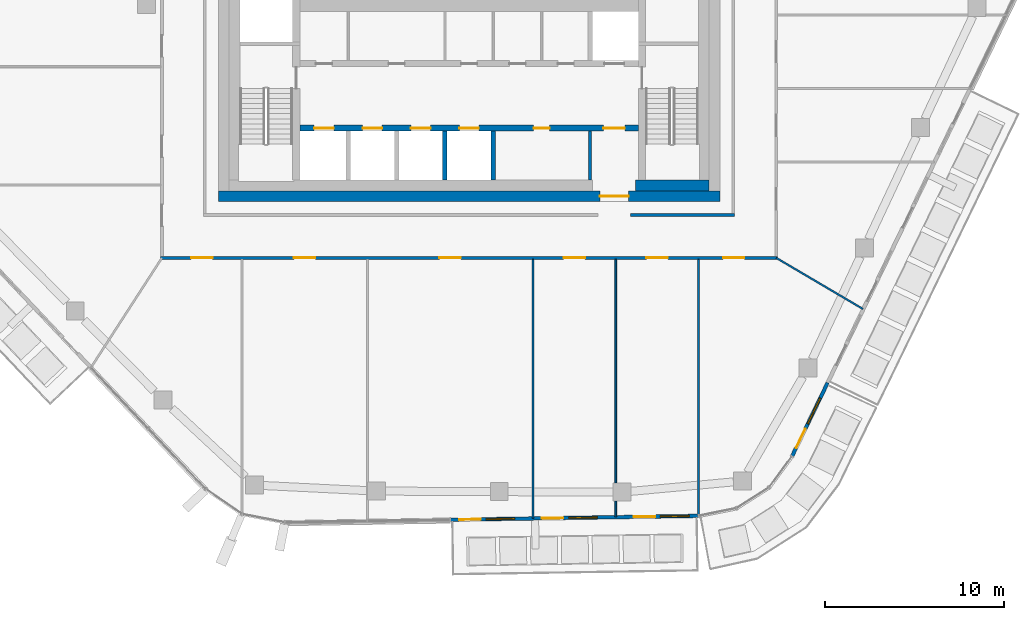
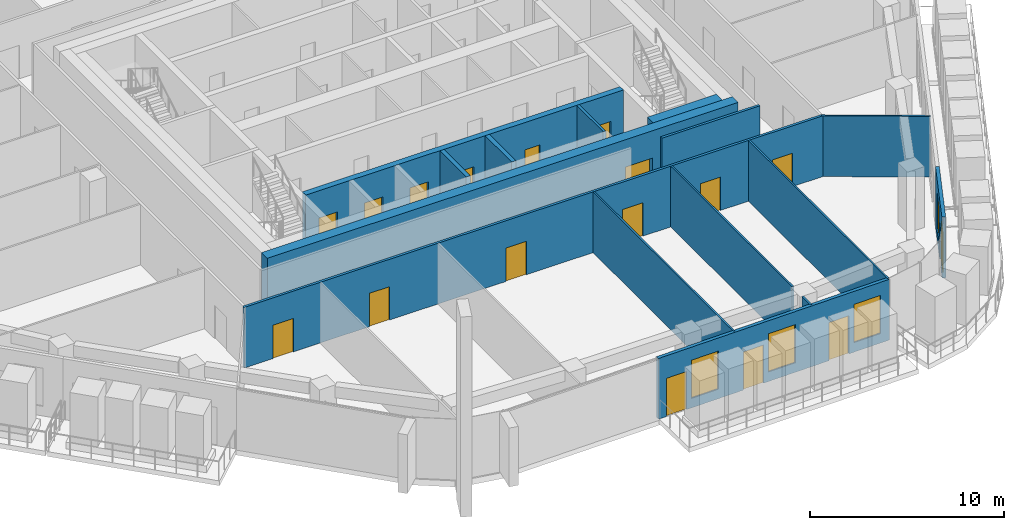
# One storey, part 13 of 24: 17 doors, 15 walls, 4 windows, 21 openings.
"""IFC4 building model written with IfcOpenShell, lengths in metres."""

from ifc_helpers import new_model, si_unit, direction, frame, frame_2d, origin, place, context, subcontext, project, spatial, rectangle, extrude, material, layer, layer_set, type_object, element, fill, save


model = new_model("IFC4")

# Units and contexts
model_context = context("Model", 3, precision=1e-05, world=origin(), true_north=direction((0.0, 1.0)))
body_context = subcontext(model_context, "Body", "Model", "MODEL_VIEW")
ifc_project = project(units=[si_unit("LENGTHUNIT", "METRE"), si_unit("AREAUNIT", "SQUARE_METRE"), si_unit("VOLUMEUNIT", "CUBIC_METRE"), si_unit("PLANEANGLEUNIT", "RADIAN"), si_unit("MASSUNIT", "GRAM", prefix="KILO")], contexts=[model_context])

# Site, building, storey
site_placement = place(None, origin())
site = spatial("IfcSite", under=ifc_project, at=site_placement, CompositionType="ELEMENT")
building_placement = place(site_placement, origin())
building = spatial("IfcBuilding", under=site, at=building_placement, Name="Dongbaek Canopy Tower", CompositionType="ELEMENT")
storey_placement = place(building_placement, frame((0.0, 0.0, 294.199951171875)))
storey = spatial("IfcBuildingStorey", under=building, at=storey_placement, Name="L62", CompositionType="ELEMENT", Elevation=294.199951171875)

# Wall, openings, doors
ifc_material_1 = material(Name="Concrete C60/75", Category="concrete")
ifc_layer_1 = layer(ifc_material_1, 0.35009765625)
ifc_layer_set_1 = layer_set([ifc_layer_1], Name="Core lobby wall 350 Concrete C60/75")
wall_type_1 = type_object("IfcWallType", Name="Core lobby wall 350 Concrete C60/75", PredefinedType="SHEAR", material=ifc_layer_set_1)
wall_1_placement = place(storey_placement, frame((9.449951171875, -6.89990234375, 0.0), z_axis=(0.0, 0.0, 1.0), x_axis=(-1.0, 0.0, 0.0)))
wall_1 = element("IfcWall", 1, at=wall_1_placement, inside=storey, type_object=wall_type_1, Name="Core wall", PredefinedType="SHEAR", context=body_context, shape_type="SweptSolid", body=[
    extrude(rectangle(XDim=18.89990234375, YDim=0.35009765625, at=frame_2d((9.449951171875, 0.0))), origin(), (0.0, 0.0, 1.0), 3.820068359375),
])
opening_1_placement = place(wall_1_placement, frame((17.0, 0.0, 0.0)))
opening_1 = element("IfcOpeningElement", 2, at=opening_1_placement, cuts=wall_1, Name="Opening L62-D035", PredefinedType="OPENING", context=body_context, shape_type="SweptSolid", body=[
    extrude(rectangle(XDim=1.10009765625, YDim=2.10009765625, at=frame_2d((0.550048828125, 1.050048828125))), frame((0.0, 0.18505859375, 0.0), z_axis=(0.0, -1.0, 0.0), x_axis=(1.0, 0.0, 0.0)), (0.0, 0.0, 1.0), 0.3701171875),
])
opening_2_placement = place(wall_1_placement, frame((14.300048828125, 0.0, 0.0)))
opening_2 = element("IfcOpeningElement", 3, at=opening_2_placement, cuts=wall_1, Name="Opening L62-D036", PredefinedType="OPENING", context=body_context, shape_type="SweptSolid", body=[
    extrude(rectangle(XDim=1.10009765625, YDim=2.10009765625, at=frame_2d((0.550048828125, 1.050048828125))), frame((0.0, 0.18505859375, 0.0), z_axis=(0.0, -1.0, 0.0), x_axis=(1.0, 0.0, 0.0)), (0.0, 0.0, 1.0), 0.3701171875),
])
opening_3_placement = place(wall_1_placement, frame((11.60009765625, 0.0, 0.0)))
opening_3 = element("IfcOpeningElement", 4, at=opening_3_placement, cuts=wall_1, Name="Opening L62-D037", PredefinedType="OPENING", context=body_context, shape_type="SweptSolid", body=[
    extrude(rectangle(XDim=1.10009765625, YDim=2.10009765625, at=frame_2d((0.550048828125, 1.050048828125))), frame((0.0, 0.18505859375, 0.0), z_axis=(0.0, -1.0, 0.0), x_axis=(1.0, 0.0, 0.0)), (0.0, 0.0, 1.0), 0.3701171875),
])
opening_4_placement = place(wall_1_placement, frame((8.89990234375, 0.0, 0.0)))
opening_4 = element("IfcOpeningElement", 5, at=opening_4_placement, cuts=wall_1, Name="Opening L62-D038", PredefinedType="OPENING", context=body_context, shape_type="SweptSolid", body=[
    extrude(rectangle(XDim=1.10009765625, YDim=2.10009765625, at=frame_2d((0.550048828125, 1.050048828125))), frame((0.0, 0.18505859375, 0.0), z_axis=(0.0, -1.0, 0.0), x_axis=(1.0, 0.0, 0.0)), (0.0, 0.0, 1.0), 0.3701171875),
])
opening_5_placement = place(wall_1_placement, frame((0.75, 0.0, 0.0)))
opening_5 = element("IfcOpeningElement", 6, at=opening_5_placement, cuts=wall_1, Name="Opening L62-D040", PredefinedType="OPENING", context=body_context, shape_type="SweptSolid", body=[
    extrude(rectangle(XDim=1.199951171875, YDim=2.10009765625, at=frame_2d((0.60009765625, 1.050048828125))), frame((0.0, 0.18505859375, 0.0), z_axis=(0.0, -1.0, 0.0), x_axis=(1.0, 0.0, 0.0)), (0.0, 0.0, 1.0), 0.3701171875),
])
opening_6_placement = place(wall_1_placement, frame((4.949951171875, 0.0, 0.0)))
opening_6 = element("IfcOpeningElement", 7, at=opening_6_placement, cuts=wall_1, Name="Opening L62-D051", PredefinedType="OPENING", context=body_context, shape_type="SweptSolid", body=[
    extrude(rectangle(XDim=0.89990234375, YDim=2.10009765625, at=frame_2d((0.449951171875, 1.050048828125))), frame((0.0, 0.18505859375, 0.0), z_axis=(0.0, -1.0, 0.0), x_axis=(1.0, 0.0, 0.0)), (0.0, 0.0, 1.0), 0.3701171875),
])
ifc_material_2 = material(Name="Steel", Category="steel")
door_type_1 = type_object("IfcDoorType", Name="Core room door 900 x 2100", OperationType="SINGLE_SWING_LEFT", PredefinedType="DOOR", material=ifc_material_2)
door_1_placement = place(opening_6_placement, origin())
door_1 = element("IfcDoor", 8, at=door_1_placement, inside=storey, type_object=door_type_1, Name="Door L62-D051", OperationType="SINGLE_SWING_RIGHT", OverallHeight=2.10009765625, OverallWidth=0.89990234375, PredefinedType="DOOR", context=body_context, shape_type="SweptSolid", body=[
    extrude(rectangle(XDim=0.89990234375, YDim=2.10009765625, at=frame_2d((0.449951171875, 1.050048828125))), frame((0.0, 0.02490234375, 0.0), z_axis=(0.0, -1.0, 0.0), x_axis=(1.0, 0.0, 0.0)), (0.0, 0.0, 1.0), 0.050048828125),
])
fill(opening_6, door_1)
ifc_material_3 = material(Name="Steel", Category="steel")
door_type_2 = type_object("IfcDoorType", Name="Fire lobby door 1200 x 2100", OperationType="SINGLE_SWING_LEFT", PredefinedType="DOOR", material=ifc_material_3)
door_2_placement = place(opening_5_placement, origin())
door_2 = element("IfcDoor", 9, at=door_2_placement, inside=storey, type_object=door_type_2, Name="Door L62-D040", OperationType="SINGLE_SWING_LEFT", OverallHeight=2.10009765625, OverallWidth=1.199951171875, PredefinedType="DOOR", context=body_context, shape_type="SweptSolid", body=[
    extrude(rectangle(XDim=1.199951171875, YDim=2.10009765625, at=frame_2d((0.60009765625, 1.050048828125))), frame((0.0, 0.02490234375, 0.0), z_axis=(0.0, -1.0, 0.0), x_axis=(1.0, 0.0, 0.0)), (0.0, 0.0, 1.0), 0.050048828125),
])
fill(opening_5, door_2)
ifc_material_4 = material(Name="Stainless steel", Category="steel")
door_type_3 = type_object("IfcDoorType", Name="Lift landing door 1100 x 2100", OperationType="DOUBLE_DOOR_SLIDING", PredefinedType="DOOR", material=ifc_material_4)
door_3_placement = place(opening_1_placement, origin())
door_3 = element("IfcDoor", 10, at=door_3_placement, inside=storey, type_object=door_type_3, Name="Landing door HR1", OperationType="DOUBLE_DOOR_SLIDING", OverallHeight=2.10009765625, OverallWidth=1.10009765625, PredefinedType="DOOR", context=body_context, shape_type="SweptSolid", body=[
    extrude(rectangle(XDim=1.10009765625, YDim=2.10009765625, at=frame_2d((0.550048828125, 1.050048828125))), frame((0.0, 0.02490234375, 0.0), z_axis=(0.0, -1.0, 0.0), x_axis=(1.0, 0.0, 0.0)), (0.0, 0.0, 1.0), 0.050048828125),
])
fill(opening_1, door_3)
door_4_placement = place(opening_2_placement, origin())
door_4 = element("IfcDoor", 11, at=door_4_placement, inside=storey, type_object=door_type_3, Name="Landing door HR2", OperationType="DOUBLE_DOOR_SLIDING", OverallHeight=2.10009765625, OverallWidth=1.10009765625, PredefinedType="DOOR", context=body_context, shape_type="SweptSolid", body=[
    extrude(rectangle(XDim=1.10009765625, YDim=2.10009765625, at=frame_2d((0.550048828125, 1.050048828125))), frame((0.0, 0.02490234375, 0.0), z_axis=(0.0, -1.0, 0.0), x_axis=(1.0, 0.0, 0.0)), (0.0, 0.0, 1.0), 0.050048828125),
])
fill(opening_2, door_4)
door_5_placement = place(opening_3_placement, origin())
door_5 = element("IfcDoor", 12, at=door_5_placement, inside=storey, type_object=door_type_3, Name="Landing door HR3", OperationType="DOUBLE_DOOR_SLIDING", OverallHeight=2.10009765625, OverallWidth=1.10009765625, PredefinedType="DOOR", context=body_context, shape_type="SweptSolid", body=[
    extrude(rectangle(XDim=1.10009765625, YDim=2.10009765625, at=frame_2d((0.550048828125, 1.050048828125))), frame((0.0, 0.02490234375, 0.0), z_axis=(0.0, -1.0, 0.0), x_axis=(1.0, 0.0, 0.0)), (0.0, 0.0, 1.0), 0.050048828125),
])
fill(opening_3, door_5)
door_6_placement = place(opening_4_placement, origin())
door_6 = element("IfcDoor", 13, at=door_6_placement, inside=storey, type_object=door_type_3, Name="Landing door HR4", OperationType="DOUBLE_DOOR_SLIDING", OverallHeight=2.10009765625, OverallWidth=1.10009765625, PredefinedType="DOOR", context=body_context, shape_type="SweptSolid", body=[
    extrude(rectangle(XDim=1.10009765625, YDim=2.10009765625, at=frame_2d((0.550048828125, 1.050048828125))), frame((0.0, 0.02490234375, 0.0), z_axis=(0.0, -1.0, 0.0), x_axis=(1.0, 0.0, 0.0)), (0.0, 0.0, 1.0), 0.050048828125),
])
fill(opening_4, door_6)

# Wall, opening, door
ifc_material_5 = material(Name="Concrete C80/95", Category="concrete")
ifc_layer_2 = layer(ifc_material_5, 0.60009765625)
ifc_layer_set_2 = layer_set([ifc_layer_2], Name="Core outer wall 600 Concrete C80/95")
wall_type_2 = type_object("IfcWallType", Name="Core outer wall 600 Concrete C80/95", PredefinedType="SHEAR", material=ifc_layer_set_2)
wall_2_placement = place(storey_placement, frame((14.0, -10.699951171875, 0.0), z_axis=(0.0, 0.0, 1.0), x_axis=(-1.0, 0.0, 0.0)))
wall_2 = element("IfcWall", 14, at=wall_2_placement, inside=storey, type_object=wall_type_2, Name="Core wall", PredefinedType="SHEAR", context=body_context, shape_type="SweptSolid", body=[
    extrude(rectangle(XDim=28.0, YDim=0.60009765625, at=frame_2d((14.0, 0.0))), origin(), (0.0, 0.0, 1.0), 3.820068359375),
])
opening_7_placement = place(wall_2_placement, frame((5.10009765625, 0.0, 0.0)))
opening_7 = element("IfcOpeningElement", 15, at=opening_7_placement, cuts=wall_2, Name="Opening L62-D039", PredefinedType="OPENING", context=body_context, shape_type="SweptSolid", body=[
    extrude(rectangle(XDim=1.60009765625, YDim=2.10009765625, at=frame_2d((0.800048828125, 1.050048828125))), frame((0.0, 0.31005859375, 0.0), z_axis=(0.0, -1.0, 0.0), x_axis=(1.0, 0.0, 0.0)), (0.0, 0.0, 1.0), 0.6201171875),
])
ifc_material_6 = material(Name="Steel", Category="steel")
door_type_4 = type_object("IfcDoorType", Name="Core exit door 1600 x 2100", OperationType="DOUBLE_DOOR_SINGLE_SWING", PredefinedType="DOOR", material=ifc_material_6)
door_7_placement = place(opening_7_placement, origin())
door_7 = element("IfcDoor", 16, at=door_7_placement, inside=storey, type_object=door_type_4, Name="Core exit door", OperationType="DOUBLE_DOOR_SINGLE_SWING", OverallHeight=2.10009765625, OverallWidth=1.60009765625, PredefinedType="DOOR", context=body_context, shape_type="SweptSolid", body=[
    extrude(rectangle(XDim=1.60009765625, YDim=2.10009765625, at=frame_2d((0.800048828125, 1.050048828125))), frame((0.0, 0.02490234375, 0.0), z_axis=(0.0, -1.0, 0.0), x_axis=(1.0, 0.0, 0.0)), (0.0, 0.0, 1.0), 0.050048828125),
])
fill(opening_7, door_7)

# Wall
ifc_material_7 = material(Name="Concrete C60/75", Category="concrete")
ifc_layer_3 = layer(ifc_material_7, 0.60009765625)
ifc_layer_set_3 = layer_set([ifc_layer_3], Name="Core wall lining 600 Concrete C60/75")
wall_type_3 = type_object("IfcWallType", Name="Core wall lining 600 Concrete C60/75", PredefinedType="SHEAR", material=ifc_layer_set_3)
wall_3_placement = place(storey_placement, frame((13.39990234375, -10.10009765625, 0.0), z_axis=(0.0, 0.0, 1.0), x_axis=(-1.0, 0.0, 0.0)))
element("IfcWall", 17, at=wall_3_placement, inside=storey, type_object=wall_type_3, Name="Core wall lining", PredefinedType="SHEAR", context=body_context, shape_type="SweptSolid", body=[
    extrude(rectangle(XDim=4.099853515625, YDim=0.60009765625, at=frame_2d((2.0498046875, 0.0))), origin(), (0.0, 0.0, 1.0), 3.820068359375),
])

# Wall, openings, doors
ifc_material_8 = material(Name="Gypsum board partition, steel stud, 2 x 15 mm fire board", Category="steel")
ifc_layer_4 = layer(ifc_material_8, 0.14990234375)
ifc_layer_set_4 = layer_set([ifc_layer_4], Name="Fire-rated partition 150 gypsum board")
wall_type_4 = type_object("IfcWallType", Name="Fire-rated partition 150 gypsum board", PredefinedType="PARTITIONING", material=ifc_layer_set_4)
wall_4_placement = place(storey_placement, frame((17.22509765625, -14.14990234375, 0.0), z_axis=(0.0, 0.0, 1.0), x_axis=(-1.0, 0.0, 0.0)))
wall_4 = element("IfcWall", 18, at=wall_4_placement, inside=storey, type_object=wall_type_4, Name="Corridor partition", PredefinedType="PARTITIONING", context=body_context, shape_type="SweptSolid", body=[
    extrude(rectangle(XDim=34.4501953125, YDim=0.14990234375, at=frame_2d((17.22509765625, 0.0))), origin(), (0.0, 0.0, 1.0), 3.820068359375),
])
opening_8_placement = place(wall_4_placement, frame((31.540283203125, 0.0, 0.0)))
opening_8 = element("IfcOpeningElement", 19, at=opening_8_placement, cuts=wall_4, Name="Opening L62-D004", PredefinedType="OPENING", context=body_context, shape_type="SweptSolid", body=[
    extrude(rectangle(XDim=1.199951171875, YDim=2.10009765625, at=frame_2d((0.60009765625, 1.050048828125))), frame((0.0, 0.0849609375, 0.0), z_axis=(0.0, -1.0, 0.0), x_axis=(1.0, 0.0, 0.0)), (0.0, 0.0, 1.0), 0.169921875),
])
opening_9_placement = place(wall_4_placement, frame((25.8037109375, 0.0, 0.0)))
opening_9 = element("IfcOpeningElement", 20, at=opening_9_placement, cuts=wall_4, Name="Opening L62-D005", PredefinedType="OPENING", context=body_context, shape_type="SweptSolid", body=[
    extrude(rectangle(XDim=1.199951171875, YDim=2.10009765625, at=frame_2d((0.60009765625, 1.050048828125))), frame((0.0, 0.0849609375, 0.0), z_axis=(0.0, -1.0, 0.0), x_axis=(1.0, 0.0, 0.0)), (0.0, 0.0, 1.0), 0.169921875),
])
opening_10_placement = place(wall_4_placement, frame((17.681396484375, 0.0, 0.0)))
opening_10 = element("IfcOpeningElement", 21, at=opening_10_placement, cuts=wall_4, Name="Opening L62-D006", PredefinedType="OPENING", context=body_context, shape_type="SweptSolid", body=[
    extrude(rectangle(XDim=1.199951171875, YDim=2.10009765625, at=frame_2d((0.60009765625, 1.050048828125))), frame((0.0, 0.0849609375, 0.0), z_axis=(0.0, -1.0, 0.0), x_axis=(1.0, 0.0, 0.0)), (0.0, 0.0, 1.0), 0.169921875),
])
opening_11_placement = place(wall_4_placement, frame((10.751708984375, 0.0, 0.0)))
opening_11 = element("IfcOpeningElement", 22, at=opening_11_placement, cuts=wall_4, Name="Opening L62-D007", PredefinedType="OPENING", context=body_context, shape_type="SweptSolid", body=[
    extrude(rectangle(XDim=1.199951171875, YDim=2.10009765625, at=frame_2d((0.60009765625, 1.050048828125))), frame((0.0, 0.0849609375, 0.0), z_axis=(0.0, -1.0, 0.0), x_axis=(1.0, 0.0, 0.0)), (0.0, 0.0, 1.0), 0.169921875),
])
opening_12_placement = place(wall_4_placement, frame((6.1328125, 0.0, 0.0)))
opening_12 = element("IfcOpeningElement", 23, at=opening_12_placement, cuts=wall_4, Name="Opening L62-D008", PredefinedType="OPENING", context=body_context, shape_type="SweptSolid", body=[
    extrude(rectangle(XDim=1.199951171875, YDim=2.10009765625, at=frame_2d((0.60009765625, 1.050048828125))), frame((0.0, 0.0849609375, 0.0), z_axis=(0.0, -1.0, 0.0), x_axis=(1.0, 0.0, 0.0)), (0.0, 0.0, 1.0), 0.169921875),
])
opening_13_placement = place(wall_4_placement, frame((1.85107421875, 0.0, 0.0)))
opening_13 = element("IfcOpeningElement", 24, at=opening_13_placement, cuts=wall_4, Name="Opening L62-D009", PredefinedType="OPENING", context=body_context, shape_type="SweptSolid", body=[
    extrude(rectangle(XDim=1.199951171875, YDim=2.10009765625, at=frame_2d((0.60009765625, 1.050048828125))), frame((0.0, 0.0849609375, 0.0), z_axis=(0.0, -1.0, 0.0), x_axis=(1.0, 0.0, 0.0)), (0.0, 0.0, 1.0), 0.169921875),
])
ifc_material_9 = material(Name="Timber veneered door leaf", Category="wood")
door_type_5 = type_object("IfcDoorType", Name="Room door 1200 x 2100", OperationType="SINGLE_SWING_LEFT", PredefinedType="DOOR", material=ifc_material_9)
door_8_placement = place(opening_8_placement, origin())
door_8 = element("IfcDoor", 25, at=door_8_placement, inside=storey, type_object=door_type_5, Name="Door L62-D004", OperationType="SINGLE_SWING_LEFT", OverallHeight=2.10009765625, OverallWidth=1.199951171875, PredefinedType="DOOR", context=body_context, shape_type="SweptSolid", body=[
    extrude(rectangle(XDim=1.199951171875, YDim=2.10009765625, at=frame_2d((0.60009765625, 1.050048828125))), frame((0.0, 0.02490234375, 0.0), z_axis=(0.0, -1.0, 0.0), x_axis=(1.0, 0.0, 0.0)), (0.0, 0.0, 1.0), 0.050048828125),
])
fill(opening_8, door_8)
door_9_placement = place(opening_9_placement, origin())
door_9 = element("IfcDoor", 26, at=door_9_placement, inside=storey, type_object=door_type_5, Name="Door L62-D005", OperationType="SINGLE_SWING_RIGHT", OverallHeight=2.10009765625, OverallWidth=1.199951171875, PredefinedType="DOOR", context=body_context, shape_type="SweptSolid", body=[
    extrude(rectangle(XDim=1.199951171875, YDim=2.10009765625, at=frame_2d((0.60009765625, 1.050048828125))), frame((0.0, 0.02490234375, 0.0), z_axis=(0.0, -1.0, 0.0), x_axis=(1.0, 0.0, 0.0)), (0.0, 0.0, 1.0), 0.050048828125),
])
fill(opening_9, door_9)
door_10_placement = place(opening_10_placement, origin())
door_10 = element("IfcDoor", 27, at=door_10_placement, inside=storey, type_object=door_type_5, Name="Door L62-D006", OperationType="SINGLE_SWING_LEFT", OverallHeight=2.10009765625, OverallWidth=1.199951171875, PredefinedType="DOOR", context=body_context, shape_type="SweptSolid", body=[
    extrude(rectangle(XDim=1.199951171875, YDim=2.10009765625, at=frame_2d((0.60009765625, 1.050048828125))), frame((0.0, 0.02490234375, 0.0), z_axis=(0.0, -1.0, 0.0), x_axis=(1.0, 0.0, 0.0)), (0.0, 0.0, 1.0), 0.050048828125),
])
fill(opening_10, door_10)
door_11_placement = place(opening_11_placement, origin())
door_11 = element("IfcDoor", 28, at=door_11_placement, inside=storey, type_object=door_type_5, Name="Door L62-D007", OperationType="SINGLE_SWING_RIGHT", OverallHeight=2.10009765625, OverallWidth=1.199951171875, PredefinedType="DOOR", context=body_context, shape_type="SweptSolid", body=[
    extrude(rectangle(XDim=1.199951171875, YDim=2.10009765625, at=frame_2d((0.60009765625, 1.050048828125))), frame((0.0, 0.02490234375, 0.0), z_axis=(0.0, -1.0, 0.0), x_axis=(1.0, 0.0, 0.0)), (0.0, 0.0, 1.0), 0.050048828125),
])
fill(opening_11, door_11)
door_12_placement = place(opening_12_placement, origin())
door_12 = element("IfcDoor", 29, at=door_12_placement, inside=storey, type_object=door_type_5, Name="Door L62-D008", OperationType="SINGLE_SWING_LEFT", OverallHeight=2.10009765625, OverallWidth=1.199951171875, PredefinedType="DOOR", context=body_context, shape_type="SweptSolid", body=[
    extrude(rectangle(XDim=1.199951171875, YDim=2.10009765625, at=frame_2d((0.60009765625, 1.050048828125))), frame((0.0, 0.02490234375, 0.0), z_axis=(0.0, -1.0, 0.0), x_axis=(1.0, 0.0, 0.0)), (0.0, 0.0, 1.0), 0.050048828125),
])
fill(opening_12, door_12)
door_13_placement = place(opening_13_placement, origin())
door_13 = element("IfcDoor", 30, at=door_13_placement, inside=storey, type_object=door_type_5, Name="Door L62-D009", OperationType="SINGLE_SWING_RIGHT", OverallHeight=2.10009765625, OverallWidth=1.199951171875, PredefinedType="DOOR", context=body_context, shape_type="SweptSolid", body=[
    extrude(rectangle(XDim=1.199951171875, YDim=2.10009765625, at=frame_2d((0.60009765625, 1.050048828125))), frame((0.0, 0.02490234375, 0.0), z_axis=(0.0, -1.0, 0.0), x_axis=(1.0, 0.0, 0.0)), (0.0, 0.0, 1.0), 0.050048828125),
])
fill(opening_13, door_13)

# Walls
wall_5_placement = place(storey_placement, frame((9.0, -11.75, 0.0), z_axis=(0.0, 0.0, 1.0), x_axis=(1.0, 0.0, 0.0)))
element("IfcWall", 31, at=wall_5_placement, inside=storey, type_object=wall_type_4, Name="Corridor partition", PredefinedType="PARTITIONING", context=body_context, shape_type="SweptSolid", body=[
    extrude(rectangle(XDim=5.824951171875, YDim=0.14990234375, at=frame_2d((2.91259765625, 0.0))), origin(), (0.0, 0.0, 1.0), 3.820068359375),
])
wall_6_placement = place(storey_placement, frame((6.75, -9.800048828125, 0.0), z_axis=(0.0, 0.0, 1.0), x_axis=(0.0, 1.0, 0.0)))
element("IfcWall", 32, at=wall_6_placement, inside=storey, type_object=wall_type_4, Name="Fire lobby partition", PredefinedType="PARTITIONING", context=body_context, shape_type="SweptSolid", body=[
    extrude(rectangle(XDim=2.72509765625, YDim=0.14990234375, at=frame_2d((1.362548828125, 0.0))), origin(), (0.0, 0.0, 1.0), 3.820068359375),
])
ifc_material_10 = material(Name="Concrete C40/50", Category="concrete")
ifc_layer_5 = layer(ifc_material_10, 0.25)
ifc_layer_set_5 = layer_set([ifc_layer_5], Name="Lift shaft wall 250 Concrete C40/50")
wall_type_5 = type_object("IfcWallType", Name="Lift shaft wall 250 Concrete C40/50", PredefinedType="SOLIDWALL", material=ifc_layer_set_5)
for number, where, z_axis, x_axis, name in (
    (33, (1.35009765625, -9.800048828125, 0.0), (0.0, 0.0, 1.0), (0.0, 1.0, 0.0), "Lift shaft wall"),
    (34, (-1.35009765625, -9.800048828125, 0.0), (0.0, 0.0, 1.0), (0.0, 1.0, 0.0), "Lift shaft wall"),
):
    element("IfcWall", number, at=place(storey_placement, frame(where, z_axis=z_axis, x_axis=x_axis)), inside=storey, type_object=wall_type_5, Name=name, PredefinedType="SOLIDWALL", context=body_context, shape_type="SweptSolid", body=[
        extrude(rectangle(XDim=2.72509765625, YDim=0.25, at=frame_2d((1.362548828125, 0.0))), origin(), (0.0, 0.0, 1.0), 3.820068359375),
    ])
ifc_material_11 = material(Name="Gypsum board partition, steel stud, 2 x 12.5 mm board", Category="steel")
ifc_layer_6 = layer(ifc_material_11, 0.10009765625)
ifc_layer_set_6 = layer_set([ifc_layer_6], Name="Partition 100 gypsum board")
wall_type_6 = type_object("IfcWallType", Name="Partition 100 gypsum board", PredefinedType="PARTITIONING", material=ifc_layer_set_6)
wall_7_placement = place(storey_placement, frame((12.802001953125, -28.529541015625, 0.0), z_axis=(0.0, 0.0, 1.0), x_axis=(0.0, 1.0, 0.0)))
element("IfcWall", 35, at=wall_7_placement, inside=storey, type_object=wall_type_6, Name="Partition", PredefinedType="PARTITIONING", context=body_context, shape_type="SweptSolid", body=[
    extrude(rectangle(XDim=14.304443359375, YDim=0.10009765625, at=frame_2d((7.15234375, 0.0))), origin(), (0.0, 0.0, 1.0), 3.820068359375),
])
wall_8_placement = place(storey_placement, frame((8.18310546875, -28.602294921875, 0.0), z_axis=(0.0, 0.0, 1.0), x_axis=(0.0, 1.0, 0.0)))
element("IfcWall", 36, at=wall_8_placement, inside=storey, type_object=wall_type_6, Name="Partition", PredefinedType="PARTITIONING", context=body_context, shape_type="SweptSolid", body=[
    extrude(rectangle(XDim=0.875244140625, YDim=0.10009765625, at=frame_2d((0.4375, 0.0))), origin(), (0.0, 0.0, 1.0), 3.820068359375),
])
wall_9_placement = place(storey_placement, frame((8.18310546875, -26.72705078125, 0.0), z_axis=(0.0, 0.0, 1.0), x_axis=(0.0, 1.0, 0.0)))
element("IfcWall", 37, at=wall_9_placement, inside=storey, type_object=wall_type_6, Name="Partition", PredefinedType="PARTITIONING", context=body_context, shape_type="SweptSolid", body=[
    extrude(rectangle(XDim=12.501953125, YDim=0.10009765625, at=frame_2d((6.2509765625, 0.0))), origin(), (0.0, 0.0, 1.0), 3.820068359375),
])
wall_10_placement = place(storey_placement, frame((3.56396484375, -28.6748046875, 0.0), z_axis=(0.0, 0.0, 1.0), x_axis=(0.0, 1.0, 0.0)))
element("IfcWall", 38, at=wall_10_placement, inside=storey, type_object=wall_type_6, Name="Partition", PredefinedType="PARTITIONING", context=body_context, shape_type="SweptSolid", body=[
    extrude(rectangle(XDim=14.44970703125, YDim=0.10009765625, at=frame_2d((7.224853515625, 0.0))), origin(), (0.0, 0.0, 1.0), 3.820068359375),
])
wall_11_placement = place(storey_placement, frame((17.14990234375, -14.150146484375, 0.0), z_axis=(0.0, 0.0, 1.0), x_axis=(0.861619958058, -0.507553985184, 0.0)))
element("IfcWall", 39, at=wall_11_placement, inside=storey, type_object=wall_type_6, Name="Partition", PredefinedType="PARTITIONING", context=body_context, shape_type="SweptSolid", body=[
    extrude(rectangle(XDim=5.614990234375, YDim=0.10009765625, at=frame_2d((2.8076171875, 0.0))), origin(), (0.0, 0.0, 1.0), 3.820068359375),
])

# Wall, openings, doors, windows
ifc_material_12 = material(Name="Aluminium window wall", Category="aluminium")
ifc_layer_7 = layer(ifc_material_12, 0.199951171875)
ifc_layer_set_7 = layer_set([ifc_layer_7], Name="Window wall 200")
wall_type_7 = type_object("IfcWallType", Name="Window wall 200", PredefinedType="SOLIDWALL", material=ifc_layer_set_7)
wall_12_placement = place(storey_placement, frame((-1.054931640625, -28.767333984375, 0.0), z_axis=(0.0, 0.0, 1.0), x_axis=(0.999877073258, 0.015679233829, 0.0)))
wall_12 = element("IfcWall", 40, at=wall_12_placement, inside=storey, type_object=wall_type_7, Name="Window wall L62 4", PredefinedType="SOLIDWALL", context=body_context, shape_type="SweptSolid", body=[
    extrude(rectangle(XDim=13.858154296875, YDim=0.199951171875, at=frame_2d((6.92919921875, 0.0))), origin(), (0.0, 0.0, 1.0), 3.820068359375),
])
opening_14_placement = place(wall_12_placement, frame((2.0, 0.0, 0.60009765625)))
opening_14 = element("IfcOpeningElement", 41, at=opening_14_placement, cuts=wall_12, Name="Opening W1", PredefinedType="OPENING", context=body_context, shape_type="SweptSolid", body=[
    extrude(rectangle(XDim=1.60009765625, YDim=2.39990234375, at=frame_2d((0.800048828125, 1.199951171875))), frame((0.0, 0.10986328125, 0.0), z_axis=(0.0, -1.0, 0.0), x_axis=(1.0, 0.0, 0.0)), (0.0, 0.0, 1.0), 0.219970703125),
])
opening_15_placement = place(wall_12_placement, frame((0.5, 0.0, 0.0)))
opening_15 = element("IfcOpeningElement", 42, at=opening_15_placement, cuts=wall_12, Name="Opening L62-B10", PredefinedType="OPENING", context=body_context, shape_type="SweptSolid", body=[
    extrude(rectangle(XDim=1.199951171875, YDim=2.39990234375, at=frame_2d((0.60009765625, 1.199951171875))), frame((0.0, 0.10986328125, 0.0), z_axis=(0.0, -1.0, 0.0), x_axis=(1.0, 0.0, 0.0)), (0.0, 0.0, 1.0), 0.219970703125),
])
opening_16_placement = place(wall_12_placement, frame((6.619384765625, 0.0, 0.60009765625)))
opening_16 = element("IfcOpeningElement", 43, at=opening_16_placement, cuts=wall_12, Name="Opening W1", PredefinedType="OPENING", context=body_context, shape_type="SweptSolid", body=[
    extrude(rectangle(XDim=1.60009765625, YDim=2.39990234375, at=frame_2d((0.800048828125, 1.199951171875))), frame((0.0, 0.10986328125, 0.0), z_axis=(0.0, -1.0, 0.0), x_axis=(1.0, 0.0, 0.0)), (0.0, 0.0, 1.0), 0.219970703125),
])
opening_17_placement = place(wall_12_placement, frame((5.119384765625, 0.0, 0.0)))
opening_17 = element("IfcOpeningElement", 44, at=opening_17_placement, cuts=wall_12, Name="Opening L62-B11", PredefinedType="OPENING", context=body_context, shape_type="SweptSolid", body=[
    extrude(rectangle(XDim=1.199951171875, YDim=2.39990234375, at=frame_2d((0.60009765625, 1.199951171875))), frame((0.0, 0.10986328125, 0.0), z_axis=(0.0, -1.0, 0.0), x_axis=(1.0, 0.0, 0.0)), (0.0, 0.0, 1.0), 0.219970703125),
])
opening_18_placement = place(wall_12_placement, frame((11.73876953125, 0.0, 0.60009765625)))
opening_18 = element("IfcOpeningElement", 45, at=opening_18_placement, cuts=wall_12, Name="Opening W1", PredefinedType="OPENING", context=body_context, shape_type="SweptSolid", body=[
    extrude(rectangle(XDim=1.60009765625, YDim=2.39990234375, at=frame_2d((0.800048828125, 1.199951171875))), frame((0.0, 0.10986328125, 0.0), z_axis=(0.0, -1.0, 0.0), x_axis=(1.0, 0.0, 0.0)), (0.0, 0.0, 1.0), 0.219970703125),
])
opening_19_placement = place(wall_12_placement, frame((10.23876953125, 0.0, 0.0)))
opening_19 = element("IfcOpeningElement", 46, at=opening_19_placement, cuts=wall_12, Name="Opening L62-B12", PredefinedType="OPENING", context=body_context, shape_type="SweptSolid", body=[
    extrude(rectangle(XDim=1.199951171875, YDim=2.39990234375, at=frame_2d((0.60009765625, 1.199951171875))), frame((0.0, 0.10986328125, 0.0), z_axis=(0.0, -1.0, 0.0), x_axis=(1.0, 0.0, 0.0)), (0.0, 0.0, 1.0), 0.219970703125),
])
ifc_material_13 = material(Name="Clear glazing in aluminium frame", Category="aluminium")
door_type_6 = type_object("IfcDoorType", Name="Balcony door BD1 1200 x 2400", OperationType="SLIDING_TO_LEFT", PredefinedType="DOOR", material=ifc_material_13)
door_14_placement = place(opening_15_placement, origin())
door_14 = element("IfcDoor", 47, at=door_14_placement, inside=storey, type_object=door_type_6, Name="Balcony door L62-B10", OperationType="SLIDING_TO_LEFT", OverallHeight=2.39990234375, OverallWidth=1.199951171875, PredefinedType="DOOR", context=body_context, shape_type="SweptSolid", body=[
    extrude(rectangle(XDim=1.199951171875, YDim=2.39990234375, at=frame_2d((0.60009765625, 1.199951171875))), frame((0.0, 0.02490234375, 0.0), z_axis=(0.0, -1.0, 0.0), x_axis=(1.0, 0.0, 0.0)), (0.0, 0.0, 1.0), 0.050048828125),
])
fill(opening_15, door_14)
door_15_placement = place(opening_17_placement, origin())
door_15 = element("IfcDoor", 48, at=door_15_placement, inside=storey, type_object=door_type_6, Name="Balcony door L62-B11", OperationType="SLIDING_TO_LEFT", OverallHeight=2.39990234375, OverallWidth=1.199951171875, PredefinedType="DOOR", context=body_context, shape_type="SweptSolid", body=[
    extrude(rectangle(XDim=1.199951171875, YDim=2.39990234375, at=frame_2d((0.60009765625, 1.199951171875))), frame((0.0, 0.02490234375, 0.0), z_axis=(0.0, -1.0, 0.0), x_axis=(1.0, 0.0, 0.0)), (0.0, 0.0, 1.0), 0.050048828125),
])
fill(opening_17, door_15)
door_16_placement = place(opening_19_placement, origin())
door_16 = element("IfcDoor", 49, at=door_16_placement, inside=storey, type_object=door_type_6, Name="Balcony door L62-B12", OperationType="SLIDING_TO_LEFT", OverallHeight=2.39990234375, OverallWidth=1.199951171875, PredefinedType="DOOR", context=body_context, shape_type="SweptSolid", body=[
    extrude(rectangle(XDim=1.199951171875, YDim=2.39990234375, at=frame_2d((0.60009765625, 1.199951171875))), frame((0.0, 0.02490234375, 0.0), z_axis=(0.0, -1.0, 0.0), x_axis=(1.0, 0.0, 0.0)), (0.0, 0.0, 1.0), 0.050048828125),
])
fill(opening_19, door_16)
ifc_material_14 = material(Name="Clear glazing in aluminium frame", Category="aluminium")
window_type = type_object("IfcWindowType", Name="Window W1 1600 x 2400", PartitioningType="SINGLE_PANEL", PredefinedType="WINDOW", material=ifc_material_14)
window_1_placement = place(opening_14_placement, origin())
window_1 = element("IfcWindow", 50, at=window_1_placement, inside=storey, type_object=window_type, Name="Window L62 4.1", OverallHeight=2.39990234375, OverallWidth=1.60009765625, PartitioningType="SINGLE_PANEL", PredefinedType="WINDOW", context=body_context, shape_type="SweptSolid", body=[
    extrude(rectangle(XDim=1.60009765625, YDim=2.39990234375, at=frame_2d((0.800048828125, 1.199951171875))), frame((0.0, 0.030029296875, 0.0), z_axis=(0.0, -1.0, 0.0), x_axis=(1.0, 0.0, 0.0)), (0.0, 0.0, 1.0), 0.06005859375),
])
fill(opening_14, window_1)
window_2_placement = place(opening_16_placement, origin())
window_2 = element("IfcWindow", 51, at=window_2_placement, inside=storey, type_object=window_type, Name="Window L62 4.2", OverallHeight=2.39990234375, OverallWidth=1.60009765625, PartitioningType="SINGLE_PANEL", PredefinedType="WINDOW", context=body_context, shape_type="SweptSolid", body=[
    extrude(rectangle(XDim=1.60009765625, YDim=2.39990234375, at=frame_2d((0.800048828125, 1.199951171875))), frame((0.0, 0.030029296875, 0.0), z_axis=(0.0, -1.0, 0.0), x_axis=(1.0, 0.0, 0.0)), (0.0, 0.0, 1.0), 0.06005859375),
])
fill(opening_16, window_2)
window_3_placement = place(opening_18_placement, origin())
window_3 = element("IfcWindow", 52, at=window_3_placement, inside=storey, type_object=window_type, Name="Window L62 4.3", OverallHeight=2.39990234375, OverallWidth=1.60009765625, PartitioningType="SINGLE_PANEL", PredefinedType="WINDOW", context=body_context, shape_type="SweptSolid", body=[
    extrude(rectangle(XDim=1.60009765625, YDim=2.39990234375, at=frame_2d((0.800048828125, 1.199951171875))), frame((0.0, 0.030029296875, 0.0), z_axis=(0.0, -1.0, 0.0), x_axis=(1.0, 0.0, 0.0)), (0.0, 0.0, 1.0), 0.06005859375),
])
fill(opening_18, window_3)

# Wall, openings, door, window
wall_13_placement = place(storey_placement, frame((18.0322265625, -25.2138671875, 0.0), z_axis=(0.0, 0.0, 1.0), x_axis=(0.435874843819, 0.900007289151, 0.0)))
wall_13 = element("IfcWall", 53, at=wall_13_placement, inside=storey, type_object=wall_type_7, Name="Window wall L62 8", PredefinedType="SOLIDWALL", context=body_context, shape_type="SweptSolid", body=[
    extrude(rectangle(XDim=4.55322265625, YDim=0.199951171875, at=frame_2d((2.276611328125, 0.0))), origin(), (0.0, 0.0, 1.0), 3.820068359375),
])
opening_20_placement = place(wall_13_placement, frame((2.0, 0.0, 0.60009765625)))
opening_20 = element("IfcOpeningElement", 54, at=opening_20_placement, cuts=wall_13, Name="Opening W1", PredefinedType="OPENING", context=body_context, shape_type="SweptSolid", body=[
    extrude(rectangle(XDim=1.60009765625, YDim=2.39990234375, at=frame_2d((0.800048828125, 1.199951171875))), frame((0.0, 0.10986328125, 0.0), z_axis=(0.0, -1.0, 0.0), x_axis=(1.0, 0.0, 0.0)), (0.0, 0.0, 1.0), 0.219970703125),
])
opening_21_placement = place(wall_13_placement, frame((0.5, 0.0, 0.0)))
opening_21 = element("IfcOpeningElement", 55, at=opening_21_placement, cuts=wall_13, Name="Opening L62-B17", PredefinedType="OPENING", context=body_context, shape_type="SweptSolid", body=[
    extrude(rectangle(XDim=1.199951171875, YDim=2.39990234375, at=frame_2d((0.60009765625, 1.199951171875))), frame((0.0, 0.10986328125, 0.0), z_axis=(0.0, -1.0, 0.0), x_axis=(1.0, 0.0, 0.0)), (0.0, 0.0, 1.0), 0.219970703125),
])
door_17_placement = place(opening_21_placement, origin())
door_17 = element("IfcDoor", 56, at=door_17_placement, inside=storey, type_object=door_type_6, Name="Balcony door L62-B17", OperationType="SLIDING_TO_LEFT", OverallHeight=2.39990234375, OverallWidth=1.199951171875, PredefinedType="DOOR", context=body_context, shape_type="SweptSolid", body=[
    extrude(rectangle(XDim=1.199951171875, YDim=2.39990234375, at=frame_2d((0.60009765625, 1.199951171875))), frame((0.0, 0.02490234375, 0.0), z_axis=(0.0, -1.0, 0.0), x_axis=(1.0, 0.0, 0.0)), (0.0, 0.0, 1.0), 0.050048828125),
])
fill(opening_21, door_17)
window_4_placement = place(opening_20_placement, origin())
window_4 = element("IfcWindow", 57, at=window_4_placement, inside=storey, type_object=window_type, Name="Window L62 8.1", OverallHeight=2.39990234375, OverallWidth=1.60009765625, PartitioningType="SINGLE_PANEL", PredefinedType="WINDOW", context=body_context, shape_type="SweptSolid", body=[
    extrude(rectangle(XDim=1.60009765625, YDim=2.39990234375, at=frame_2d((0.800048828125, 1.199951171875))), frame((0.0, 0.030029296875, 0.0), z_axis=(0.0, -1.0, 0.0), x_axis=(1.0, 0.0, 0.0)), (0.0, 0.0, 1.0), 0.06005859375),
])
fill(opening_20, window_4)

save(model, "model.ifc")
